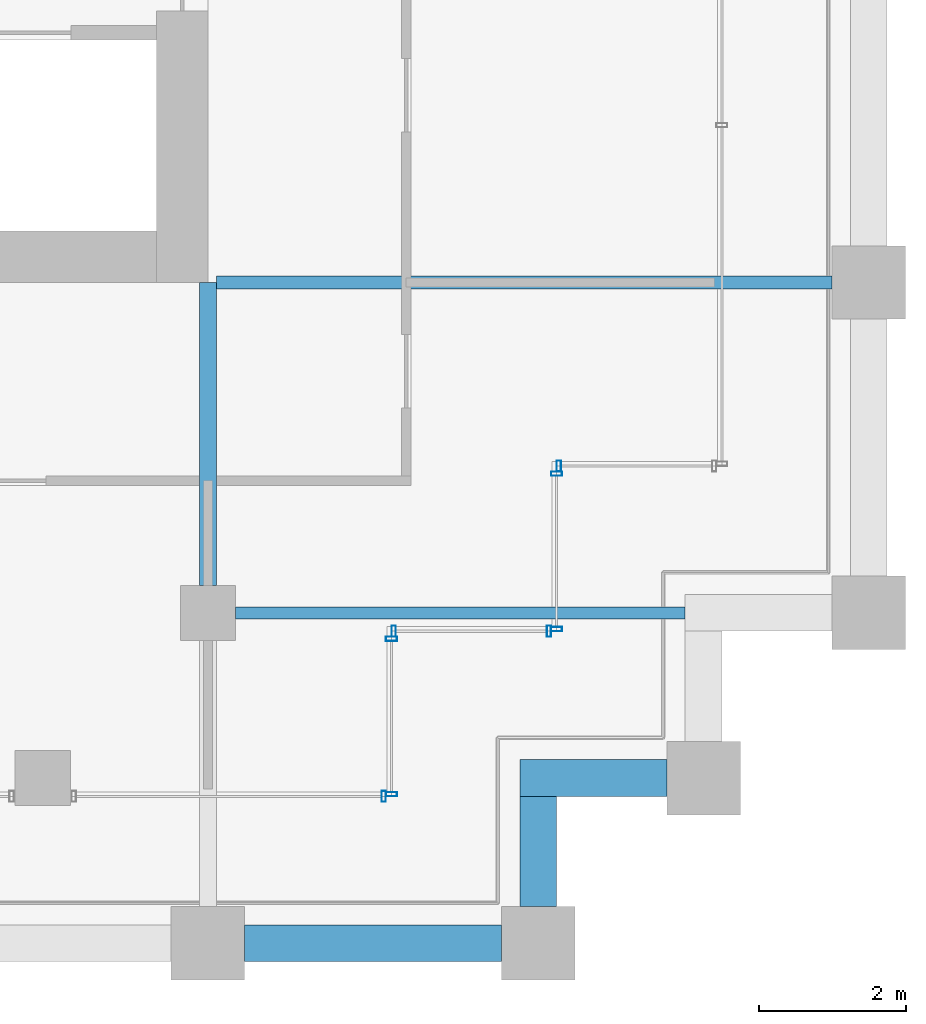
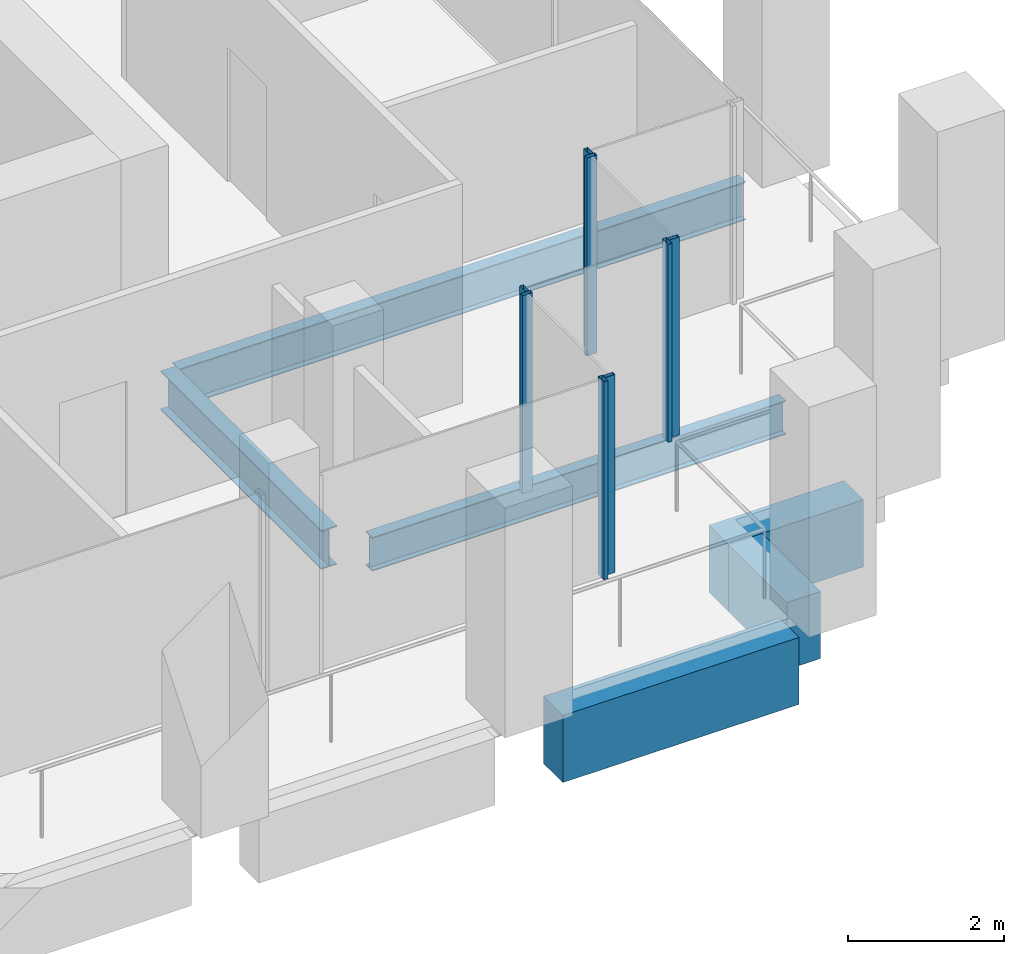
# One storey, part 32 of 47: 8 members, 6 beams, 5 elements without a shape of their own.
"""IFC4 building model written with IfcOpenShell, lengths in metres."""

from ifc_helpers import new_model, si_unit, direction, frame, origin, origin_2d, place, context, subcontext, project, spatial, rectangle, hollow_rectangle, i_section, extrude, material, material_profile, profile_set, type_object, element, aggregate, save


model = new_model("IFC4")

# Units and contexts
model_context = context("Model", 3, precision=1e-05, world=origin(), true_north=direction((0.0, 1.0)))
body_context = subcontext(model_context, "Body", "Model", "MODEL_VIEW")
ifc_project = project(units=[si_unit("LENGTHUNIT", "METRE"), si_unit("AREAUNIT", "SQUARE_METRE"), si_unit("VOLUMEUNIT", "CUBIC_METRE"), si_unit("PLANEANGLEUNIT", "RADIAN"), si_unit("MASSUNIT", "GRAM", prefix="KILO")], contexts=[model_context])

# Site, building, storey
site_placement = place(None, origin())
site = spatial("IfcSite", under=ifc_project, at=site_placement, CompositionType="ELEMENT")
building_placement = place(site_placement, origin())
building = spatial("IfcBuilding", under=site, at=building_placement, Name="Altepetl Exchange Towers", CompositionType="ELEMENT")
storey_placement = place(building_placement, frame((0.0, 0.0, 99.199951171875)))
storey = spatial("IfcBuildingStorey", under=building, at=storey_placement, Name="L24", CompositionType="ELEMENT", Elevation=99.199951171875)

# Beams
ifc_material_1 = material(Name="Steel S355", Category="steel")
ifc_material_profile_1 = material_profile(ifc_material_1, i_section(OverallWidth=0.166015625, OverallDepth=0.529052734375, WebThickness=0.009765625, FlangeThickness=0.013671875, at=origin_2d()), Name="W21X50")
ifc_profile_set_1 = profile_set([ifc_material_profile_1], Name="Steel S355")
beam_type_1 = type_object("IfcBeamType", Name="Floor beam W21X50", PredefinedType="BEAM", material=ifc_profile_set_1)
beam_1_placement = place(storey_placement, frame((117.375, 31.5, -0.41455078125), z_axis=(1.0, 0.0, 0.0), x_axis=(0.0, 1.0, 0.0)))
element("IfcBeam", 1, at=beam_1_placement, inside=storey, type_object=beam_type_1, Name="bm:B:L24:000", PredefinedType="BEAM", context=body_context, shape_type="SweptSolid", body=[
    extrude(i_section(OverallWidth=0.166015625, OverallDepth=0.529052734375, WebThickness=0.009765625, FlangeThickness=0.013671875, at=origin_2d()), origin(), (0.0, 0.0, 1.0), 6.125),
])
ifc_material_profile_2 = material_profile(ifc_material_1, i_section(OverallWidth=0.177978515625, OverallDepth=0.59912109375, WebThickness=0.010009765625, FlangeThickness=0.0126953125, at=origin_2d()), Name="W24X55")
ifc_profile_set_2 = profile_set([ifc_material_profile_2], Name="Steel S355")
beam_type_2 = type_object("IfcBeamType", Name="Floor beam W24X55", PredefinedType="BEAM", material=ifc_profile_set_2)
beam_2_placement = place(storey_placement, frame((117.114013671875, 36.0, -0.449462890625), z_axis=(1.0, 0.0, 0.0), x_axis=(0.0, 1.0, 0.0)))
element("IfcBeam", 2, at=beam_2_placement, inside=storey, type_object=beam_type_2, Name="bm:B:L24:001", PredefinedType="BEAM", context=body_context, shape_type="SweptSolid", body=[
    extrude(i_section(OverallWidth=0.177978515625, OverallDepth=0.59912109375, WebThickness=0.010009765625, FlangeThickness=0.0126953125, at=origin_2d()), origin(), (0.0, 0.0, 1.0), 8.385986328125),
])
ifc_material_profile_3 = material_profile(ifc_material_1, i_section(OverallWidth=0.22802734375, OverallDepth=0.60791015625, WebThickness=0.01123046875, FlangeThickness=0.017333984375, at=origin_2d()), Name="W24X76")
ifc_profile_set_3 = profile_set([ifc_material_profile_3], Name="Steel S355")
beam_type_3 = type_object("IfcBeamType", Name="Girder W24X76", PredefinedType="BEAM", material=ifc_profile_set_3)
beam_3_placement = place(storey_placement, frame((117.0, 36.0, -0.453857421875), z_axis=(0.0, -1.0, 0.0), x_axis=(1.0, 0.0, 0.0)))
element("IfcBeam", 3, at=beam_3_placement, inside=storey, type_object=beam_type_3, Name="gd:B:L24:000", PredefinedType="BEAM", context=body_context, shape_type="SweptSolid", body=[
    extrude(i_section(OverallWidth=0.22802734375, OverallDepth=0.60791015625, WebThickness=0.01123046875, FlangeThickness=0.017333984375, at=origin_2d()), origin(), (0.0, 0.0, 1.0), 4.125),
])

# Curtain wall, member
ifc_material_2 = material(Name="Aluminium 6063-T6 glazing", Category="aluminium")
curtain_wall_type = type_object("IfcCurtainWallType", Name="Loggia glazing system", PredefinedType="NOTDEFINED", material=ifc_material_2)
curtain_wall_1_placement = place(storey_placement, origin())
curtain_wall_1 = element("IfcCurtainWall", 4, at=curtain_wall_1_placement, inside=storey, type_object=curtain_wall_type, Name="CW1 run", PredefinedType="NOTDEFINED")
ifc_material_3 = material(Name="Aluminium 6063-T6", Category="aluminium")
ifc_material_profile_4 = material_profile(ifc_material_3, hollow_rectangle(XDim=0.06005859375, YDim=0.14990234375, WallThickness=0.0029296875, at=origin_2d()), Name="Mullion 60x150 aluminium")
ifc_profile_set_4 = profile_set([ifc_material_profile_4], Name="Aluminium 6063-T6")
member_type = type_object("IfcMemberType", Name="Mullion 60x150 aluminium", PredefinedType="MULLION", material=ifc_profile_set_4)
member_1_placement = place(storey_placement, frame((119.39501953125, 29.0, 0.0)))
member_1 = element("IfcMember", 5, at=member_1_placement, type_object=member_type, Name="MU1 mullion", PredefinedType="MULLION", context=body_context, shape_type="SweptSolid", body=[
    extrude(hollow_rectangle(XDim=0.06005859375, YDim=0.14990234375, WallThickness=0.0029296875, at=origin_2d()), origin(), (0.0, 0.0, 1.0), 3.10009765625),
])
aggregate(curtain_wall_1, [member_1])

# Curtain wall, members
curtain_wall_2_placement = place(storey_placement, origin())
curtain_wall_2 = element("IfcCurtainWall", 6, at=curtain_wall_2_placement, inside=storey, type_object=curtain_wall_type, Name="CW1 run", PredefinedType="NOTDEFINED")
member_2_placement = place(storey_placement, frame((119.5, 29.030029296875, 0.0), z_axis=(0.0, 0.0, 1.0), x_axis=(0.0, 1.0, 0.0)))
member_2 = element("IfcMember", 7, at=member_2_placement, type_object=member_type, Name="MU1 mullion", PredefinedType="MULLION", context=body_context, shape_type="SweptSolid", body=[
    extrude(hollow_rectangle(XDim=0.06005859375, YDim=0.14990234375, WallThickness=0.0029296875, at=origin_2d()), origin(), (0.0, 0.0, 1.0), 3.10009765625),
])
member_3_placement = place(storey_placement, frame((119.5, 31.14501953125, 0.0), z_axis=(0.0, 0.0, 1.0), x_axis=(0.0, 1.0, 0.0)))
member_3 = element("IfcMember", 8, at=member_3_placement, type_object=member_type, Name="MU1 mullion", PredefinedType="MULLION", context=body_context, shape_type="SweptSolid", body=[
    extrude(hollow_rectangle(XDim=0.06005859375, YDim=0.14990234375, WallThickness=0.0029296875, at=origin_2d()), origin(), (0.0, 0.0, 1.0), 3.10009765625),
])
aggregate(curtain_wall_2, [member_2, member_3])

curtain_wall_3_placement = place(storey_placement, origin())
curtain_wall_3 = element("IfcCurtainWall", 9, at=curtain_wall_3_placement, inside=storey, type_object=curtain_wall_type, Name="CW1 run", PredefinedType="NOTDEFINED")
member_4_placement = place(storey_placement, frame((119.530029296875, 31.25, 0.0)))
member_4 = element("IfcMember", 10, at=member_4_placement, type_object=member_type, Name="MU1 mullion", PredefinedType="MULLION", context=body_context, shape_type="SweptSolid", body=[
    extrude(hollow_rectangle(XDim=0.06005859375, YDim=0.14990234375, WallThickness=0.0029296875, at=origin_2d()), origin(), (0.0, 0.0, 1.0), 3.10009765625),
])
member_5_placement = place(storey_placement, frame((121.64501953125, 31.25, 0.0)))
member_5 = element("IfcMember", 11, at=member_5_placement, type_object=member_type, Name="MU1 mullion", PredefinedType="MULLION", context=body_context, shape_type="SweptSolid", body=[
    extrude(hollow_rectangle(XDim=0.06005859375, YDim=0.14990234375, WallThickness=0.0029296875, at=origin_2d()), origin(), (0.0, 0.0, 1.0), 3.10009765625),
])
aggregate(curtain_wall_3, [member_4, member_5])

curtain_wall_4_placement = place(storey_placement, origin())
curtain_wall_4 = element("IfcCurtainWall", 12, at=curtain_wall_4_placement, inside=storey, type_object=curtain_wall_type, Name="CW1 run", PredefinedType="NOTDEFINED")
member_6_placement = place(storey_placement, frame((121.75, 31.280029296875, 0.0), z_axis=(0.0, 0.0, 1.0), x_axis=(0.0, 1.0, 0.0)))
member_6 = element("IfcMember", 13, at=member_6_placement, type_object=member_type, Name="MU1 mullion", PredefinedType="MULLION", context=body_context, shape_type="SweptSolid", body=[
    extrude(hollow_rectangle(XDim=0.06005859375, YDim=0.14990234375, WallThickness=0.0029296875, at=origin_2d()), origin(), (0.0, 0.0, 1.0), 3.10009765625),
])
member_7_placement = place(storey_placement, frame((121.75, 33.39501953125, 0.0), z_axis=(0.0, 0.0, 1.0), x_axis=(0.0, 1.0, 0.0)))
member_7 = element("IfcMember", 14, at=member_7_placement, type_object=member_type, Name="MU1 mullion", PredefinedType="MULLION", context=body_context, shape_type="SweptSolid", body=[
    extrude(hollow_rectangle(XDim=0.06005859375, YDim=0.14990234375, WallThickness=0.0029296875, at=origin_2d()), origin(), (0.0, 0.0, 1.0), 3.10009765625),
])
aggregate(curtain_wall_4, [member_6, member_7])

# Curtain wall, member
curtain_wall_5_placement = place(storey_placement, origin())
curtain_wall_5 = element("IfcCurtainWall", 15, at=curtain_wall_5_placement, inside=storey, type_object=curtain_wall_type, Name="CW1 run", PredefinedType="NOTDEFINED")
member_8_placement = place(storey_placement, frame((121.780029296875, 33.5, 0.0)))
member_8 = element("IfcMember", 16, at=member_8_placement, type_object=member_type, Name="MU1 mullion", PredefinedType="MULLION", context=body_context, shape_type="SweptSolid", body=[
    extrude(hollow_rectangle(XDim=0.06005859375, YDim=0.14990234375, WallThickness=0.0029296875, at=origin_2d()), origin(), (0.0, 0.0, 1.0), 3.10009765625),
])
aggregate(curtain_wall_5, [member_8])

# Beams
ifc_material_4 = material(Name="Concrete C50/60 precast with cantera blanca facing", Category="concrete")
ifc_material_profile_5 = material_profile(ifc_material_4, rectangle(XDim=0.5, YDim=1.050048828125, at=origin_2d()), Name="500 x 1050")
ifc_profile_set_5 = profile_set([ifc_material_profile_5], Name="Concrete C50/60 precast with cantera blanca facing")
beam_type_4 = type_object("IfcBeamType", Name="Spandrel beam 500x1050 cantera blanca", PredefinedType="SPANDREL", material=ifc_profile_set_5)
beam_4_placement = place(storey_placement, frame((117.5, 27.0, -0.675048828125), z_axis=(1.0, 0.0, 0.0), x_axis=(0.0, 1.0, 0.0)))
element("IfcBeam", 17, at=beam_4_placement, inside=storey, type_object=beam_type_4, Name="sp:B:L24:004", PredefinedType="SPANDREL", context=body_context, shape_type="SweptSolid", body=[
    extrude(rectangle(XDim=0.5, YDim=1.050048828125, at=origin_2d()), origin(), (0.0, 0.0, 1.0), 3.5),
])
beam_5_placement = place(storey_placement, frame((121.5, 27.5, -0.675048828125), z_axis=(0.0, 1.0, 0.0), x_axis=(-1.0, 0.0, 0.0)))
element("IfcBeam", 18, at=beam_5_placement, inside=storey, type_object=beam_type_4, Name="sp:B:L24:005", PredefinedType="SPANDREL", context=body_context, shape_type="SweptSolid", body=[
    extrude(rectangle(XDim=0.5, YDim=1.050048828125, at=origin_2d()), origin(), (0.0, 0.0, 1.0), 1.5),
])
beam_6_placement = place(storey_placement, frame((121.25, 29.25, -0.675048828125), z_axis=(1.0, 0.0, 0.0), x_axis=(0.0, 1.0, 0.0)))
element("IfcBeam", 19, at=beam_6_placement, inside=storey, type_object=beam_type_4, Name="sp:B:L24:006", PredefinedType="SPANDREL", context=body_context, shape_type="SweptSolid", body=[
    extrude(rectangle(XDim=0.5, YDim=1.050048828125, at=origin_2d()), origin(), (0.0, 0.0, 1.0), 2.0),
])

save(model, "model.ifc")
